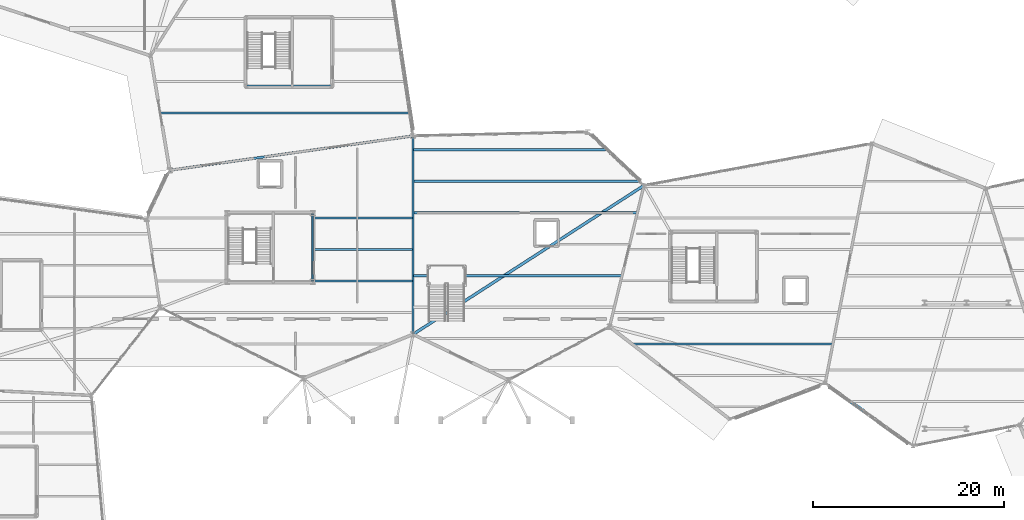
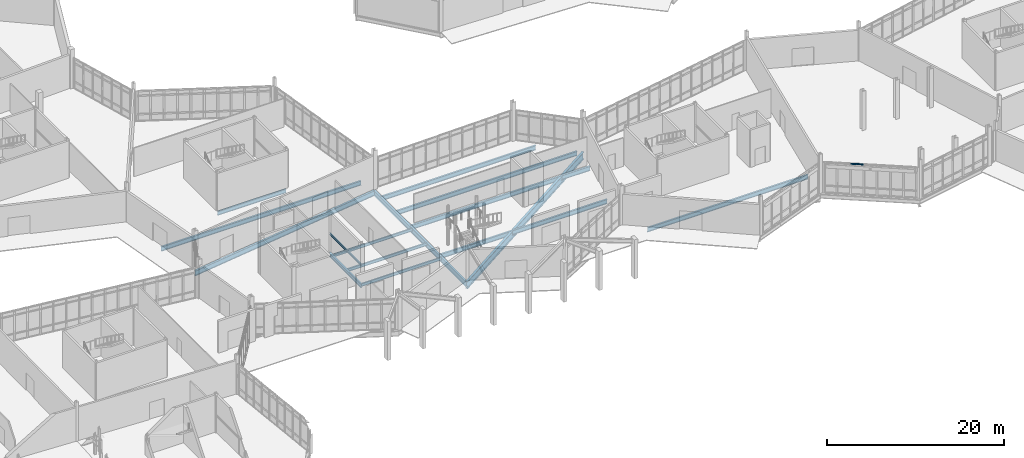
# One storey, part 37 of 113: 15 beams, 1 member, 1 element without a shape of its own.
"""IFC4 building model written with IfcOpenShell, lengths in metres."""

from ifc_helpers import new_model, si_unit, direction, frame, origin, origin_2d, place, context, subcontext, project, spatial, rectangle, i_section, extrude, material, material_profile, profile_set, type_object, element, aggregate, save


model = new_model("IFC4")

# Units and contexts
model_context = context("Model", 3, precision=1e-05, world=origin(), true_north=direction((0.0, 1.0)))
body_context = subcontext(model_context, "Body", "Model", "MODEL_VIEW")
ifc_project = project(units=[si_unit("LENGTHUNIT", "METRE"), si_unit("AREAUNIT", "SQUARE_METRE"), si_unit("VOLUMEUNIT", "CUBIC_METRE"), si_unit("PLANEANGLEUNIT", "RADIAN"), si_unit("MASSUNIT", "GRAM", prefix="KILO")], contexts=[model_context])

# Site, building, storey
site_placement = place(None, origin())
site = spatial("IfcSite", under=ifc_project, at=site_placement, CompositionType="ELEMENT")
building_placement = place(site_placement, origin())
building = spatial("IfcBuilding", under=site, at=building_placement, Name="Tameran Prism Museum", CompositionType="ELEMENT")
storey_placement = place(building_placement, origin())
storey = spatial("IfcBuildingStorey", under=building, at=storey_placement, Name="L00", CompositionType="ELEMENT", Elevation=0.0)

# Beams
ifc_material_1 = material(Name="Steel Grade 300PLUS (300 MPa)", Category="steel")
ifc_material_profile_1 = material_profile(ifc_material_1, i_section(OverallWidth=0.177978515625, OverallDepth=0.403076171875, WebThickness=0.007568359375, FlangeThickness=0.010986328125, FilletRadius=0.011474609375, at=origin_2d()))
ifc_profile_set_1 = profile_set([ifc_material_profile_1])
beam_type_1 = type_object("IfcBeamType", Name="BM-J410B", PredefinedType="JOIST", material=ifc_profile_set_1)
for number, where, z_axis, x_axis, name in (
    (1, (66.97998046875, 33.0, -0.44140625), (1.0, 0.0, 0.0), (0.0, 1.0, 0.0), "Floor Beam BM-0202"),
    (2, (66.97998046875, 36.300048828125, -0.44140625), (1.0, 0.0, 0.0), (0.0, 1.0, 0.0), "Floor Beam BM-0204"),
    (3, (66.97998046875, 39.60009765625, -0.44140625), (1.0, 0.0, 0.0), (0.0, 1.0, 0.0), "Floor Beam BM-0206"),
):
    element("IfcBeam", number, at=place(storey_placement, frame(where, z_axis=z_axis, x_axis=x_axis)), inside=storey, type_object=beam_type_1, Name=name, PredefinedType="JOIST", context=body_context, shape_type="SweptSolid", body=[
        extrude(i_section(OverallWidth=0.177978515625, OverallDepth=0.403076171875, WebThickness=0.007568359375, FlangeThickness=0.010986328125, FilletRadius=0.011474609375, at=origin_2d()), origin(), (0.0, 0.0, 1.0), 10.47998046875),
    ])
ifc_material_2 = material(Name="Steel Grade 300PLUS (300 MPa)", Category="steel")
ifc_material_profile_2 = material_profile(ifc_material_2, i_section(OverallWidth=0.14599609375, OverallDepth=0.256103515625, WebThickness=0.00634765625, FlangeThickness=0.010986328125, FilletRadius=0.0087890625, at=origin_2d()))
ifc_profile_set_2 = profile_set([ifc_material_profile_2])
beam_type_2 = type_object("IfcBeamType", Name="BM-L250", PredefinedType="LINTEL", material=ifc_profile_set_2)
beam_1_placement = place(storey_placement, frame((66.97998046875, 32.919921875, 2.3798828125), z_axis=(0.0, 1.0, 0.0), x_axis=(-1.0, 0.0, 0.0)))
element("IfcBeam", 4, at=beam_1_placement, inside=storey, type_object=beam_type_2, Name="Core Door Lintel LN-04", PredefinedType="LINTEL", context=body_context, shape_type="SweptSolid", body=[
    extrude(i_section(OverallWidth=0.14599609375, OverallDepth=0.256103515625, WebThickness=0.00634765625, FlangeThickness=0.010986328125, FilletRadius=0.0087890625, at=origin_2d()), origin(), (0.0, 0.0, 1.0), 7.16015625),
])
ifc_material_3 = material(Name="Steel Grade 300PLUS (300 MPa)", Category="steel")
ifc_material_profile_3 = material_profile(ifc_material_3, i_section(OverallWidth=0.208984375, OverallDepth=0.528076171875, WebThickness=0.009521484375, FlangeThickness=0.01318359375, FilletRadius=0.013916015625, at=origin_2d()))
ifc_profile_set_3 = profile_set([ifc_material_profile_3])
beam_type_3 = type_object("IfcBeamType", Name="BM-SP530B", PredefinedType="SPANDREL", material=ifc_profile_set_3)
beam_2_placement = place(storey_placement, frame((66.97998046875, 32.919921875, -0.50390625), z_axis=(0.0, 1.0, 0.0), x_axis=(-1.0, 0.0, 0.0)))
element("IfcBeam", 5, at=beam_2_placement, inside=storey, type_object=beam_type_3, Name="Core Ring Beam CTB-0115", PredefinedType="SPANDREL", context=body_context, shape_type="SweptSolid", body=[
    extrude(i_section(OverallWidth=0.208984375, OverallDepth=0.528076171875, WebThickness=0.009521484375, FlangeThickness=0.01318359375, FilletRadius=0.013916015625, at=origin_2d()), origin(), (0.0, 0.0, 1.0), 7.16015625),
])
beam_3_placement = place(storey_placement, frame((60.02001953125, 53.419921875, -0.50390625), z_axis=(1.0, 0.0, 0.0), x_axis=(0.0, 1.0, 0.0)))
element("IfcBeam", 6, at=beam_3_placement, inside=storey, type_object=beam_type_3, Name="Core Ring Beam CTB-0118", PredefinedType="SPANDREL", context=body_context, shape_type="SweptSolid", body=[
    extrude(i_section(OverallWidth=0.208984375, OverallDepth=0.528076171875, WebThickness=0.009521484375, FlangeThickness=0.01318359375, FilletRadius=0.013916015625, at=origin_2d()), origin(), (0.0, 0.0, 1.0), 8.9599609375),
])
ifc_material_4 = material(Name="Steel Grade 350 (350 MPa)", Category="steel")
ifc_material_profile_4 = material_profile(ifc_material_4, i_section(OverallWidth=0.25, OverallDepth=0.699951171875, WebThickness=0.010009765625, FlangeThickness=0.02001953125, at=origin_2d()))
ifc_profile_set_4 = profile_set([ifc_material_profile_4])
beam_type_4 = type_object("IfcBeamType", Name="BM-SP700", PredefinedType="SPANDREL", material=ifc_profile_set_4)
beam_4_placement = place(storey_placement, frame((77.5, 27.39990234375, -0.590087890625), z_axis=(0.0, 1.0, 0.0), x_axis=(-1.0, 0.0, 0.0)))
element("IfcBeam", 7, at=beam_4_placement, inside=storey, type_object=beam_type_4, Name="Perimeter Spandrel SP-0024", PredefinedType="SPANDREL", context=body_context, shape_type="SweptSolid", body=[
    extrude(i_section(OverallWidth=0.25, OverallDepth=0.699951171875, WebThickness=0.010009765625, FlangeThickness=0.02001953125, at=origin_2d()), origin(), (0.0, 0.0, 1.0), 20.800048828125),
])
beam_5_placement = place(storey_placement, frame((77.5, 48.199951171875, -0.590087890625), z_axis=(-0.990181921375, -0.139784700815, 0.0), x_axis=(0.139784700815, -0.990181921375, 0.0)))
element("IfcBeam", 8, at=beam_5_placement, inside=storey, type_object=beam_type_4, Name="Perimeter Spandrel SP-0025", PredefinedType="SPANDREL", context=body_context, shape_type="SweptSolid", body=[
    extrude(i_section(OverallWidth=0.25, OverallDepth=0.699951171875, WebThickness=0.010009765625, FlangeThickness=0.02001953125, at=origin_2d()), origin(), (0.0, 0.0, 1.0), 25.7529296875),
])
ifc_material_5 = material(Name="Steel Grade 300PLUS (300 MPa)", Category="steel")
ifc_material_profile_5 = material_profile(ifc_material_5, i_section(OverallWidth=0.22802734375, OverallDepth=0.60693359375, WebThickness=0.01123046875, FlangeThickness=0.017333984375, FilletRadius=0.013916015625, at=origin_2d()))
ifc_profile_set_5 = profile_set([ifc_material_profile_5])
beam_type_5 = type_object("IfcBeamType", Name="BM-UB610B", PredefinedType="BEAM", material=ifc_profile_set_5)
beam_6_placement = place(storey_placement, frame((77.5400390625, 33.550048828125, -0.54345703125), z_axis=(1.0, 0.0, 0.0), x_axis=(0.0, 1.0, 0.0)))
element("IfcBeam", 9, at=beam_6_placement, inside=storey, type_object=beam_type_5, Name="Floor Beam BM-0212", PredefinedType="BEAM", context=body_context, shape_type="SweptSolid", body=[
    extrude(i_section(OverallWidth=0.22802734375, OverallDepth=0.60693359375, WebThickness=0.01123046875, FlangeThickness=0.017333984375, FilletRadius=0.013916015625, at=origin_2d()), origin(), (0.0, 0.0, 1.0), 21.820068359375),
])
beam_7_placement = place(storey_placement, frame((77.5400390625, 40.14990234375, -0.54345703125), z_axis=(1.0, 0.0, 0.0), x_axis=(0.0, 1.0, 0.0)))
element("IfcBeam", 10, at=beam_7_placement, inside=storey, type_object=beam_type_5, Name="Floor Beam BM-0215", PredefinedType="BEAM", context=body_context, shape_type="SweptSolid", body=[
    extrude(i_section(OverallWidth=0.22802734375, OverallDepth=0.60693359375, WebThickness=0.01123046875, FlangeThickness=0.017333984375, FilletRadius=0.013916015625, at=origin_2d()), origin(), (0.0, 0.0, 1.0), 23.426025390625),
])
beam_8_placement = place(storey_placement, frame((77.5400390625, 43.449951171875, -0.54345703125), z_axis=(1.0, 0.0, 0.0), x_axis=(0.0, 1.0, 0.0)))
element("IfcBeam", 11, at=beam_8_placement, inside=storey, type_object=beam_type_5, Name="Floor Beam BM-0216", PredefinedType="BEAM", context=body_context, shape_type="SweptSolid", body=[
    extrude(i_section(OverallWidth=0.22802734375, OverallDepth=0.60693359375, WebThickness=0.01123046875, FlangeThickness=0.017333984375, FilletRadius=0.013916015625, at=origin_2d()), origin(), (0.0, 0.0, 1.0), 23.6279296875),
])
beam_9_placement = place(storey_placement, frame((77.5400390625, 46.75, -0.54345703125), z_axis=(1.0, 0.0, 0.0), x_axis=(0.0, 1.0, 0.0)))
element("IfcBeam", 12, at=beam_9_placement, inside=storey, type_object=beam_type_5, Name="Floor Beam BM-0217", PredefinedType="BEAM", context=body_context, shape_type="SweptSolid", body=[
    extrude(i_section(OverallWidth=0.22802734375, OverallDepth=0.60693359375, WebThickness=0.01123046875, FlangeThickness=0.017333984375, FilletRadius=0.013916015625, at=origin_2d()), origin(), (0.0, 0.0, 1.0), 20.15087890625),
])
beam_10_placement = place(storey_placement, frame((51.041015625, 50.60009765625, -0.54345703125), z_axis=(1.0, 0.0, 0.0), x_axis=(0.0, 1.0, 0.0)))
element("IfcBeam", 13, at=beam_10_placement, inside=storey, type_object=beam_type_5, Name="Floor Beam BM-0218", PredefinedType="BEAM", context=body_context, shape_type="SweptSolid", body=[
    extrude(i_section(OverallWidth=0.22802734375, OverallDepth=0.60693359375, WebThickness=0.01123046875, FlangeThickness=0.017333984375, FilletRadius=0.013916015625, at=origin_2d()), origin(), (0.0, 0.0, 1.0), 26.056884765625),
])
beam_11_placement = place(storey_placement, frame((100.50390625, 26.39990234375, -0.54345703125), z_axis=(1.0, 0.0, 0.0), x_axis=(0.0, 1.0, 0.0)))
element("IfcBeam", 14, at=beam_11_placement, inside=storey, type_object=beam_type_5, Name="Floor Beam BM-0230", PredefinedType="BEAM", context=body_context, shape_type="SweptSolid", body=[
    extrude(i_section(OverallWidth=0.22802734375, OverallDepth=0.60693359375, WebThickness=0.01123046875, FlangeThickness=0.017333984375, FilletRadius=0.013916015625, at=origin_2d()), origin(), (0.0, 0.0, 1.0), 20.9560546875),
])
ifc_material_6 = material(Name="Steel Grade 350 (350 MPa)", Category="steel")
ifc_material_profile_6 = material_profile(ifc_material_6, i_section(OverallWidth=0.300048828125, OverallDepth=1.0, WebThickness=0.01611328125, FlangeThickness=0.031982421875, at=origin_2d()))
ifc_profile_set_6 = profile_set([ifc_material_profile_6])
beam_type_6 = type_object("IfcBeamType", Name="BM-WB1000", PredefinedType="BEAM", material=ifc_profile_set_6)
beam_12_placement = place(storey_placement, frame((77.5, 27.39990234375, -0.739990234375), z_axis=(0.840498698678, 0.541813563433, 0.0), x_axis=(-0.541813563433, 0.840498698678, 0.0)))
element("IfcBeam", 15, at=beam_12_placement, inside=storey, type_object=beam_type_6, Name="Primary Vertex Girder PG-0032", PredefinedType="BEAM", context=body_context, shape_type="SweptSolid", body=[
    extrude(i_section(OverallWidth=0.300048828125, OverallDepth=1.0, WebThickness=0.01611328125, FlangeThickness=0.031982421875, at=origin_2d()), origin(), (0.0, 0.0, 1.0), 28.79248046875),
])

# Curtain wall, member
ifc_material_7 = material(Name="Anodised Aluminium 6063-T6 and Cyclone Solar Glass", Category="aluminium")
curtain_wall_type = type_object("IfcCurtainWallType", Name="CW-FAC-1056x422", PredefinedType="USERDEFINED", material=ifc_material_7)
curtain_wall_placement = place(storey_placement, origin())
curtain_wall = element("IfcCurtainWall", 16, at=curtain_wall_placement, inside=storey, type_object=curtain_wall_type, Name="Unitised Curtain Wall CW-037", ObjectType="UNITISED CURTAIN WALL", PredefinedType="USERDEFINED")
ifc_material_8 = material(Name="Anodised Aluminium Alloy 6063-T6", Category="aluminium")
ifc_material_profile_7 = material_profile(ifc_material_8, rectangle(XDim=0.074951171875, YDim=0.175048828125, at=origin_2d()))
ifc_profile_set_7 = profile_set([ifc_material_profile_7])
member_type = type_object("IfcMemberType", Name="CW-TRN-C", PredefinedType="USERDEFINED", material=ifc_profile_set_7)
member_placement = place(storey_placement, frame((124.680908203125, 19.444091796875, 4.1826171875), z_axis=(-0.81248916136, 0.582976296835, 0.0), x_axis=(-0.582976296835, -0.81248916136, 0.0)))
member = element("IfcMember", 17, at=member_placement, type_object=member_type, Name="CW-037 transom 5.4", ObjectType="TRANSOM", PredefinedType="USERDEFINED", context=body_context, shape_type="SweptSolid", body=[
    extrude(rectangle(XDim=0.074951171875, YDim=0.175048828125, at=origin_2d()), origin(), (0.0, 0.0, 1.0), 1.433837890625),
])
aggregate(curtain_wall, [member])

save(model, "model.ifc")
